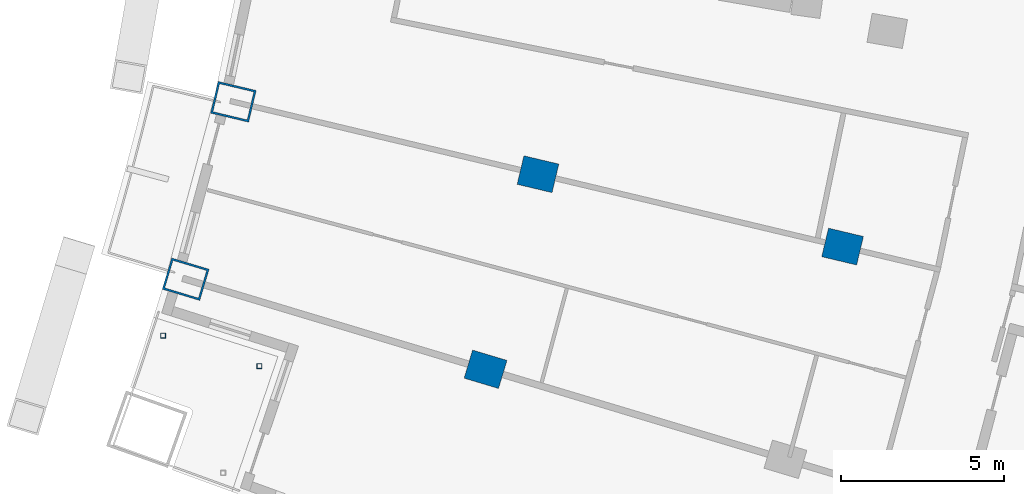
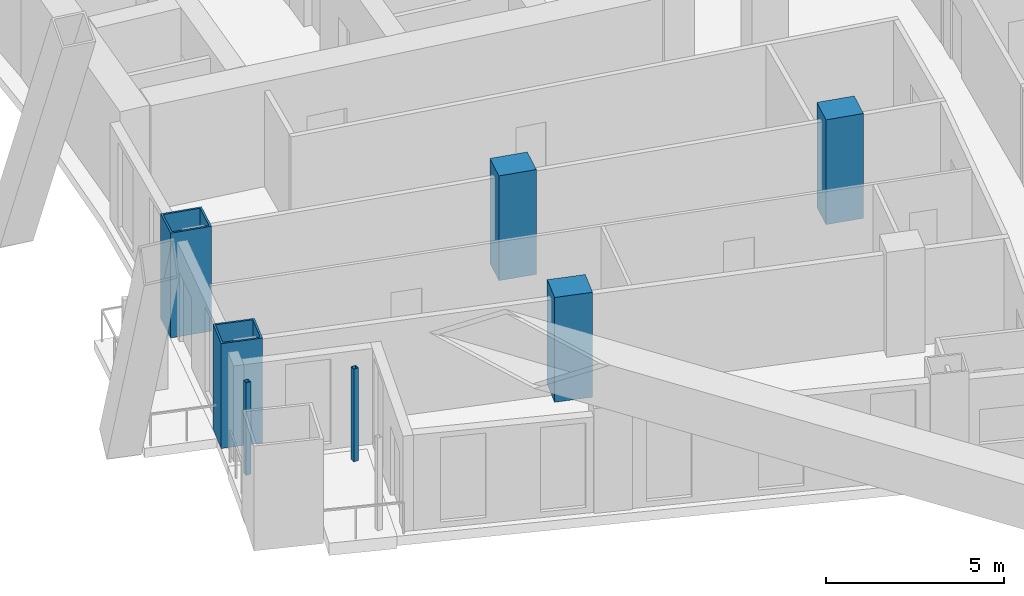
# One storey, part 3 of 25: 7 columns.
"""IFC4 building model written with IfcOpenShell, lengths in metres."""

from ifc_helpers import new_model, si_unit, direction, frame, origin, origin_2d, place, context, subcontext, project, spatial, rectangle, hollow_rectangle, extrude, material, material_profile, profile_set, type_object, element, save


model = new_model("IFC4")

# Units and contexts
model_context = context("Model", 3, precision=1e-05, world=origin(), true_north=direction((0.0, 1.0)))
body_context = subcontext(model_context, "Body", "Model", "MODEL_VIEW")
ifc_project = project(units=[si_unit("LENGTHUNIT", "METRE"), si_unit("AREAUNIT", "SQUARE_METRE"), si_unit("VOLUMEUNIT", "CUBIC_METRE"), si_unit("PLANEANGLEUNIT", "RADIAN"), si_unit("MASSUNIT", "GRAM", prefix="KILO")], contexts=[model_context])

# Site, building, storey
site_placement = place(None, origin())
site = spatial("IfcSite", under=ifc_project, at=site_placement, CompositionType="ELEMENT")
building_placement = place(site_placement, origin())
building = spatial("IfcBuilding", under=site, at=building_placement, Name="Alderwake Tower", CompositionType="ELEMENT")
storey_placement = place(building_placement, frame((0.0, 0.0, 42.800048828125)))
storey = spatial("IfcBuildingStorey", under=building, at=storey_placement, Name="L09", CompositionType="ELEMENT", Elevation=42.800048828125)

# Columns
ifc_material_1 = material(Name="Concrete C70/85", Category="concrete")
ifc_material_profile_1 = material_profile(ifc_material_1, rectangle(XDim=0.89990234375, YDim=1.10009765625, at=origin_2d()), Name="RC 1100X900")
ifc_profile_set_1 = profile_set([ifc_material_profile_1], Name="Concrete C70/85")
column_type_1 = type_object("IfcColumnType", Name="Interior column Z1", PredefinedType="COLUMN", material=ifc_profile_set_1)
for number, where, z_axis, x_axis, name in (
    (1, (21.714599609375, 30.46240234375, 0.0), (0.0, 0.0, 1.0), (0.287549418125, 0.957765802342, 0.0), "Column R02-C1"),
    (2, (23.322021484375, 36.444091796875, 0.0), (0.0, 0.0, 1.0), (0.231221547198, 0.972901123502, 0.0), "Column R03-C1"),
    (3, (32.661865234375, 34.224609375, 0.0), (0.0, 0.0, 1.0), (0.231221547198, 0.972901123502, 0.0), "Column R03-C2"),
):
    element("IfcColumn", number, at=place(storey_placement, frame(where, z_axis=z_axis, x_axis=x_axis)), inside=storey, type_object=column_type_1, Name=name, PredefinedType="COLUMN", context=body_context, shape_type="SweptSolid", body=[
        extrude(rectangle(XDim=0.89990234375, YDim=1.10009765625, at=origin_2d()), origin(), (0.0, 0.0, 1.0), 3.599853515625),
    ])
ifc_material_2 = material(Name="Steel ASTM A500 Grade C", Category="steel")
ifc_material_profile_2 = material_profile(ifc_material_2, hollow_rectangle(XDim=0.15234375, YDim=0.15234375, WallThickness=0.0087890625, at=origin_2d()), Name="HSS6X6X3/8")
ifc_profile_set_2 = profile_set([ifc_material_profile_2], Name="Steel ASTM A500 Grade C")
column_type_2 = type_object("IfcColumnType", Name="Light post HSS6X6X3/8", PredefinedType="COLUMN", material=ifc_profile_set_2)
for number, where, z_axis, x_axis, name in (
    (4, (11.82568359375, 31.492919921875, 0.0), (0.0, 0.0, 1.0), (1.0, 0.0, 0.0), "Terrace post RS1"),
    (5, (14.781494140625, 30.558349609375, 0.0), (0.0, 0.0, 1.0), (1.0, 0.0, 0.0), "Terrace post RS3"),
):
    element("IfcColumn", number, at=place(storey_placement, frame(where, z_axis=z_axis, x_axis=x_axis)), inside=storey, type_object=column_type_2, Name=name, PredefinedType="COLUMN", context=body_context, shape_type="SweptSolid", body=[
        extrude(hollow_rectangle(XDim=0.15234375, YDim=0.15234375, WallThickness=0.0087890625, at=origin_2d()), origin(), (0.0, 0.0, 1.0), 3.179931640625),
    ])
ifc_material_3 = material(Name="Steel ASTM A572 Grade 50 concrete filled C70/85", Category="concrete")
ifc_material_profile_3 = material_profile(ifc_material_3, hollow_rectangle(XDim=1.0, YDim=1.199951171875, WallThickness=0.06005859375, at=origin_2d()), Name="BOX 1200X1000X60")
ifc_profile_set_3 = profile_set([ifc_material_profile_3], Name="Steel ASTM A572 Grade 50 concrete filled C70/85")
column_type_3 = type_object("IfcColumnType", Name="Perimeter column Z1", PredefinedType="COLUMN", material=ifc_profile_set_3)
for number, where, z_axis, x_axis, name in (
    (6, (12.520263671875, 33.222900390625, 0.0), (0.0, 0.0, 1.0), (0.287549418125, 0.957765802342, 0.0), "Column R02-C0"),
    (7, (13.982177734375, 38.6640625, 0.0), (0.0, 0.0, 1.0), (0.231221547198, 0.972901123502, 0.0), "Column R03-C0"),
):
    element("IfcColumn", number, at=place(storey_placement, frame(where, z_axis=z_axis, x_axis=x_axis)), inside=storey, type_object=column_type_3, Name=name, PredefinedType="COLUMN", context=body_context, shape_type="SweptSolid", body=[
        extrude(hollow_rectangle(XDim=1.0, YDim=1.199951171875, WallThickness=0.06005859375, at=origin_2d()), origin(), (0.0, 0.0, 1.0), 3.599853515625),
    ])

save(model, "model.ifc")
